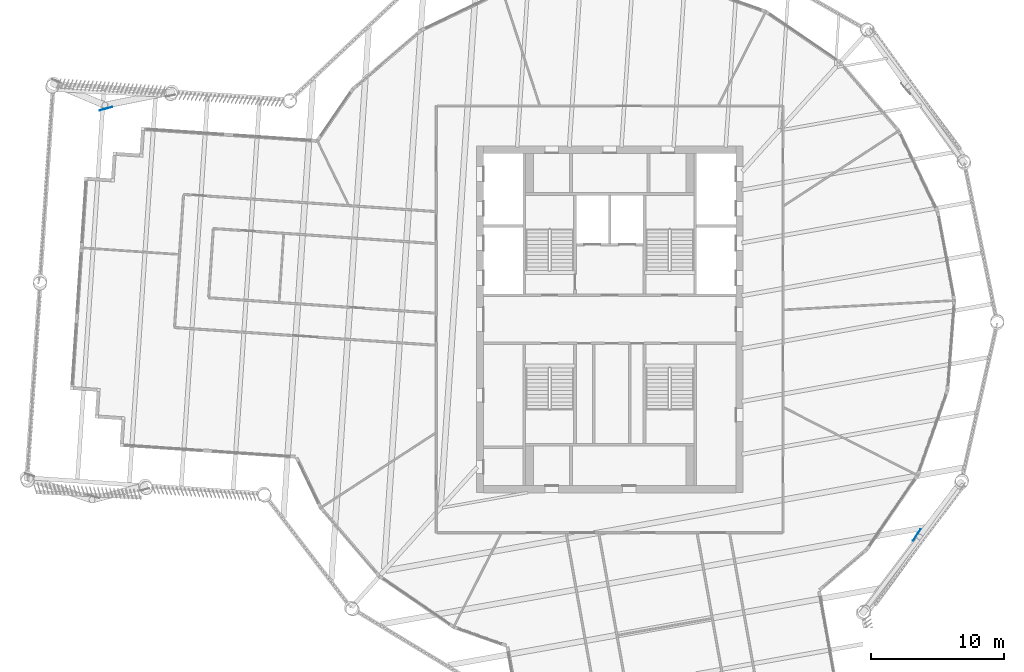
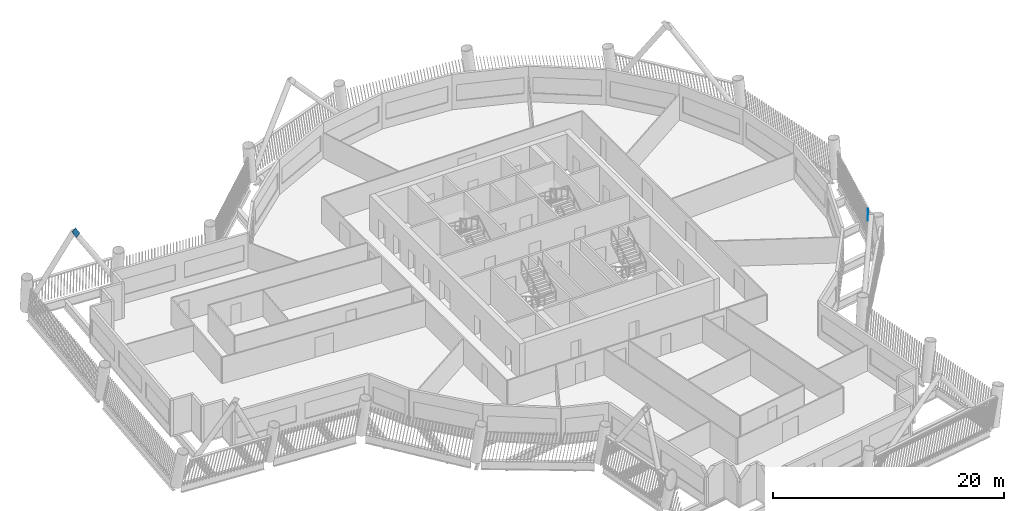
# One storey, part 9 of 22: 2 discrete accessories.
"""IFC4 building model written with IfcOpenShell, lengths in metres."""

from ifc_helpers import new_model, si_unit, direction, frame, origin, origin_2d, place, context, subcontext, project, spatial, rectangle, extrude, material, material_profile, profile_set, type_object, element, save


model = new_model("IFC4")

# Units and contexts
model_context = context("Model", 3, precision=1e-05, world=origin(), true_north=direction((0.0, 1.0)))
body_context = subcontext(model_context, "Body", "Model", "MODEL_VIEW")
ifc_project = project(units=[si_unit("LENGTHUNIT", "METRE"), si_unit("AREAUNIT", "SQUARE_METRE"), si_unit("VOLUMEUNIT", "CUBIC_METRE"), si_unit("PLANEANGLEUNIT", "RADIAN"), si_unit("MASSUNIT", "GRAM", prefix="KILO")], contexts=[model_context])

# Site, building, storey
site_placement = place(None, origin())
site = spatial("IfcSite", under=ifc_project, at=site_placement, CompositionType="ELEMENT")
building_placement = place(site_placement, origin())
building = spatial("IfcBuilding", under=site, at=building_placement, Name="Tarsis Ring Headquarters", CompositionType="ELEMENT")
storey_placement = place(building_placement, frame((0.0, 0.0, 270.800048828125)))
storey = spatial("IfcBuildingStorey", under=building, at=storey_placement, Name="L63", CompositionType="ELEMENT", Elevation=270.800048828125)

# Discrete accessories
ifc_material = material(Name="Structural steel S355", Category="steel")
ifc_material_profile = material_profile(ifc_material, rectangle(XDim=0.02490234375, YDim=0.5, at=origin_2d()), Name="PL 25x500")
ifc_profile_set = profile_set([ifc_material_profile], Name="Structural steel S355")
discrete_accessory_type = type_object("IfcDiscreteAccessoryType", Name="Gusset plate Exo brace 25", PredefinedType="BRACKET", material=ifc_profile_set)
for number, where, z_axis, x_axis, name in (
    (1, (22.830322265625, -16.454833984375, 7.4306640625), (0.369172697817, 0.56376968205, 0.738833719309), (-0.836592830104, 0.547825188011, 0.0), "Gusset plate GP5"),
    (2, (-37.507080078125, 15.8642578125, 7.383056640625), (-0.533230761061, -0.14307382142, 0.833783447355), (0.259148689853, -0.965837437951, 0.0), "Gusset plate GP5"),
):
    element("IfcDiscreteAccessory", number, at=place(storey_placement, frame(where, z_axis=z_axis, x_axis=x_axis)), inside=storey, type_object=discrete_accessory_type, Name=name, PredefinedType="BRACKET", context=body_context, shape_type="SweptSolid", body=[
        extrude(rectangle(XDim=0.02490234375, YDim=0.5, at=origin_2d()), origin(), (0.0, 0.0, 1.0), 1.0),
    ])

save(model, "model.ifc")
